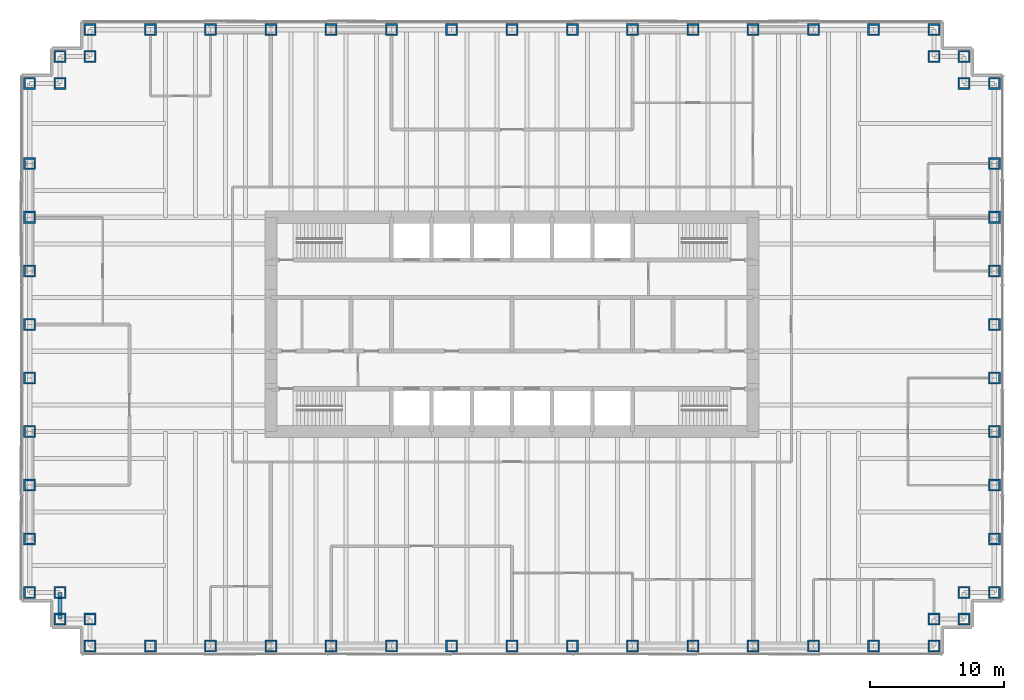
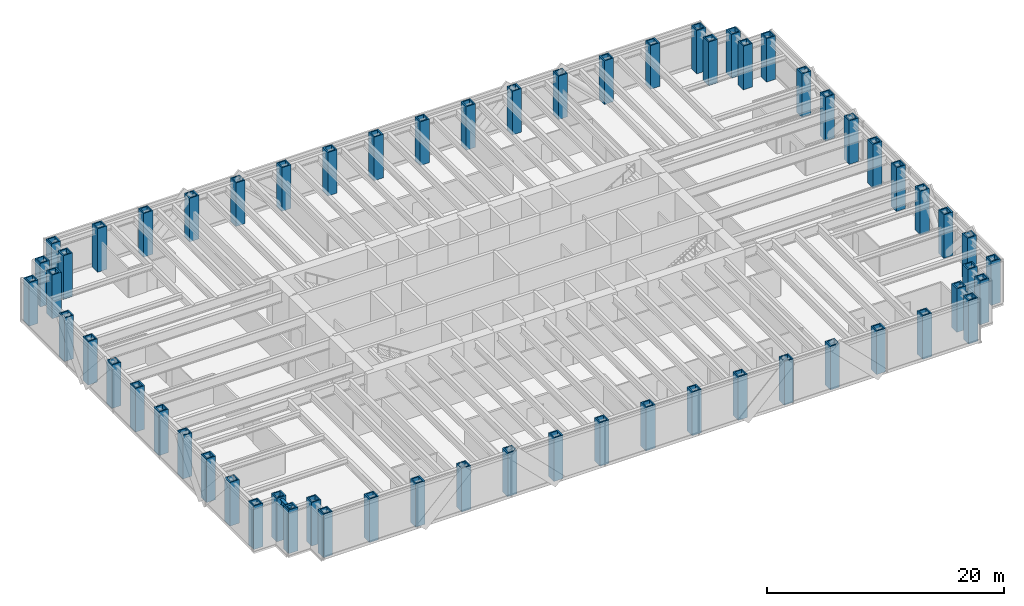
# One storey, part 1 of 13: 62 columns, 1 beam.
"""IFC4 building model written with IfcOpenShell, lengths in metres."""

from ifc_helpers import new_model, si_unit, direction, frame, origin, origin_2d, place, context, subcontext, project, spatial, hollow_rectangle, i_section, extrude, material, material_profile, profile_set, type_object, element, save


model = new_model("IFC4")

# Units and contexts
model_context = context("Model", 3, precision=1e-05, world=origin(), true_north=direction((0.0, 1.0)))
body_context = subcontext(model_context, "Body", "Model", "MODEL_VIEW")
ifc_project = project(units=[si_unit("LENGTHUNIT", "METRE"), si_unit("AREAUNIT", "SQUARE_METRE"), si_unit("VOLUMEUNIT", "CUBIC_METRE"), si_unit("PLANEANGLEUNIT", "RADIAN"), si_unit("MASSUNIT", "GRAM", prefix="KILO")], contexts=[model_context])

# Site, building, storey
site_placement = place(None, origin())
site = spatial("IfcSite", under=ifc_project, at=site_placement, CompositionType="ELEMENT")
building_placement = place(site_placement, origin())
building = spatial("IfcBuilding", under=site, at=building_placement, Name="Rheinbord Bourse Tower", CompositionType="ELEMENT")
storey_placement = place(building_placement, frame((0.0, 0.0, 72.5)))
storey = spatial("IfcBuildingStorey", under=building, at=storey_placement, Name="L15", CompositionType="ELEMENT", Elevation=72.5)

# Columns
ifc_material_1 = material(Name="Steel S460M", Category="steel")
ifc_material_profile_1 = material_profile(ifc_material_1, hollow_rectangle(XDim=0.89990234375, YDim=0.89990234375, WallThickness=0.1201171875, at=origin_2d()), Name="BOX 900x900x120")
ifc_profile_set_1 = profile_set([ifc_material_profile_1], Name="Steel S460M")
column_type = type_object("IfcColumnType", Name="TUBE COLUMN BOX 900x900x120", PredefinedType="COLUMN", material=ifc_profile_set_1)
for number, where, z_axis, x_axis, name in (
    (1, (4.5, 0.0, 0.0), (0.0, 0.0, 1.0), (0.0, 1.0, 0.0), "Column SW-E L15"),
    (2, (9.0, 0.0, 0.0), (0.0, 0.0, 1.0), (0.0, 1.0, 0.0), "Column S-9 L15"),
    (3, (13.5, 0.0, 0.0), (0.0, 0.0, 1.0), (0.0, 1.0, 0.0), "Column S-13.5 L15"),
    (4, (18.0, 0.0, 0.0), (0.0, 0.0, 1.0), (0.0, 1.0, 0.0), "Column S-18 L15"),
    (5, (22.5, 0.0, 0.0), (0.0, 0.0, 1.0), (0.0, 1.0, 0.0), "Column S-22.5 L15"),
    (6, (27.0, 0.0, 0.0), (0.0, 0.0, 1.0), (0.0, 1.0, 0.0), "Column S-27 L15"),
    (7, (31.5, 0.0, 0.0), (0.0, 0.0, 1.0), (0.0, 1.0, 0.0), "Column S-31.5 L15"),
    (8, (36.0, 0.0, 0.0), (0.0, 0.0, 1.0), (0.0, 1.0, 0.0), "Column S-36 L15"),
    (9, (40.5, 0.0, 0.0), (0.0, 0.0, 1.0), (0.0, 1.0, 0.0), "Column S-40.5 L15"),
    (10, (45.0, 0.0, 0.0), (0.0, 0.0, 1.0), (0.0, 1.0, 0.0), "Column S-45 L15"),
    (11, (49.5, 0.0, 0.0), (0.0, 0.0, 1.0), (0.0, 1.0, 0.0), "Column S-49.5 L15"),
    (12, (54.0, 0.0, 0.0), (0.0, 0.0, 1.0), (0.0, 1.0, 0.0), "Column S-54 L15"),
    (13, (58.5, 0.0, 0.0), (0.0, 0.0, 1.0), (0.0, 1.0, 0.0), "Column S-58.5 L15"),
    (14, (63.0, 0.0, 0.0), (0.0, 0.0, 1.0), (0.0, 1.0, 0.0), "Column S-63 L15"),
    (15, (67.5, 0.0, 0.0), (0.0, 0.0, 1.0), (0.0, 1.0, 0.0), "Column SE-E L15"),
    (16, (67.5, 2.0, 0.0), (0.0, 0.0, 1.0), (0.0, 1.0, 0.0), "Column SE-D L15"),
    (17, (69.75, 2.0, 0.0), (0.0, 0.0, 1.0), (1.0, 0.0, 0.0), "Column SE-C L15"),
    (18, (69.75, 4.0, 0.0), (0.0, 0.0, 1.0), (1.0, 0.0, 0.0), "Column SE-B L15"),
    (19, (72.0, 4.0, 0.0), (0.0, 0.0, 1.0), (1.0, 0.0, 0.0), "Column SE-A L15"),
    (20, (72.0, 8.0, 0.0), (0.0, 0.0, 1.0), (1.0, 0.0, 0.0), "Column E-8 L15"),
    (21, (72.0, 12.0, 0.0), (0.0, 0.0, 1.0), (1.0, 0.0, 0.0), "Column E-12 L15"),
    (22, (72.0, 16.0, 0.0), (0.0, 0.0, 1.0), (1.0, 0.0, 0.0), "Column E-16 L15"),
    (23, (72.0, 20.0, 0.0), (0.0, 0.0, 1.0), (1.0, 0.0, 0.0), "Column E-20 L15"),
    (24, (72.0, 24.0, 0.0), (0.0, 0.0, 1.0), (1.0, 0.0, 0.0), "Column E-24 L15"),
    (25, (72.0, 28.0, 0.0), (0.0, 0.0, 1.0), (1.0, 0.0, 0.0), "Column E-28 L15"),
    (26, (72.0, 32.0, 0.0), (0.0, 0.0, 1.0), (1.0, 0.0, 0.0), "Column E-32 L15"),
    (27, (72.0, 36.0, 0.0), (0.0, 0.0, 1.0), (1.0, 0.0, 0.0), "Column E-36 L15"),
    (28, (72.0, 42.0, 0.0), (0.0, 0.0, 1.0), (1.0, 0.0, 0.0), "Column NE-A L15"),
    (29, (69.75, 42.0, 0.0), (0.0, 0.0, 1.0), (1.0, 0.0, 0.0), "Column NE-B L15"),
    (30, (69.75, 44.0, 0.0), (0.0, 0.0, 1.0), (1.0, 0.0, 0.0), "Column NE-C L15"),
    (31, (67.5, 44.0, 0.0), (0.0, 0.0, 1.0), (0.0, 1.0, 0.0), "Column NE-D L15"),
    (32, (67.5, 46.0, 0.0), (0.0, 0.0, 1.0), (0.0, 1.0, 0.0), "Column NE-E L15"),
    (33, (63.0, 46.0, 0.0), (0.0, 0.0, 1.0), (0.0, 1.0, 0.0), "Column N-63 L15"),
    (34, (58.5, 46.0, 0.0), (0.0, 0.0, 1.0), (0.0, 1.0, 0.0), "Column N-58.5 L15"),
    (35, (54.0, 46.0, 0.0), (0.0, 0.0, 1.0), (0.0, 1.0, 0.0), "Column N-54 L15"),
    (36, (49.5, 46.0, 0.0), (0.0, 0.0, 1.0), (0.0, 1.0, 0.0), "Column N-49.5 L15"),
    (37, (45.0, 46.0, 0.0), (0.0, 0.0, 1.0), (0.0, 1.0, 0.0), "Column N-45 L15"),
    (38, (40.5, 46.0, 0.0), (0.0, 0.0, 1.0), (0.0, 1.0, 0.0), "Column N-40.5 L15"),
    (39, (36.0, 46.0, 0.0), (0.0, 0.0, 1.0), (0.0, 1.0, 0.0), "Column N-36 L15"),
    (40, (31.5, 46.0, 0.0), (0.0, 0.0, 1.0), (0.0, 1.0, 0.0), "Column N-31.5 L15"),
    (41, (27.0, 46.0, 0.0), (0.0, 0.0, 1.0), (0.0, 1.0, 0.0), "Column N-27 L15"),
    (42, (22.5, 46.0, 0.0), (0.0, 0.0, 1.0), (0.0, 1.0, 0.0), "Column N-22.5 L15"),
    (43, (18.0, 46.0, 0.0), (0.0, 0.0, 1.0), (0.0, 1.0, 0.0), "Column N-18 L15"),
    (44, (13.5, 46.0, 0.0), (0.0, 0.0, 1.0), (0.0, 1.0, 0.0), "Column N-13.5 L15"),
    (45, (9.0, 46.0, 0.0), (0.0, 0.0, 1.0), (0.0, 1.0, 0.0), "Column N-9 L15"),
    (46, (4.5, 46.0, 0.0), (0.0, 0.0, 1.0), (0.0, 1.0, 0.0), "Column NW-E L15"),
    (47, (4.5, 44.0, 0.0), (0.0, 0.0, 1.0), (0.0, 1.0, 0.0), "Column NW-D L15"),
    (48, (2.25, 44.0, 0.0), (0.0, 0.0, 1.0), (1.0, 0.0, 0.0), "Column NW-C L15"),
    (49, (2.25, 42.0, 0.0), (0.0, 0.0, 1.0), (1.0, 0.0, 0.0), "Column NW-B L15"),
    (50, (0.0, 42.0, 0.0), (0.0, 0.0, 1.0), (1.0, 0.0, 0.0), "Column NW-A L15"),
    (51, (0.0, 36.0, 0.0), (0.0, 0.0, 1.0), (1.0, 0.0, 0.0), "Column W-36 L15"),
    (52, (0.0, 32.0, 0.0), (0.0, 0.0, 1.0), (1.0, 0.0, 0.0), "Column W-32 L15"),
    (53, (0.0, 28.0, 0.0), (0.0, 0.0, 1.0), (1.0, 0.0, 0.0), "Column W-28 L15"),
    (54, (0.0, 24.0, 0.0), (0.0, 0.0, 1.0), (1.0, 0.0, 0.0), "Column W-24 L15"),
    (55, (0.0, 20.0, 0.0), (0.0, 0.0, 1.0), (1.0, 0.0, 0.0), "Column W-20 L15"),
    (56, (0.0, 16.0, 0.0), (0.0, 0.0, 1.0), (1.0, 0.0, 0.0), "Column W-16 L15"),
    (57, (0.0, 12.0, 0.0), (0.0, 0.0, 1.0), (1.0, 0.0, 0.0), "Column W-12 L15"),
    (58, (0.0, 8.0, 0.0), (0.0, 0.0, 1.0), (1.0, 0.0, 0.0), "Column W-8 L15"),
    (59, (0.0, 4.0, 0.0), (0.0, 0.0, 1.0), (1.0, 0.0, 0.0), "Column SW-A L15"),
    (60, (2.25, 4.0, 0.0), (0.0, 0.0, 1.0), (1.0, 0.0, 0.0), "Column SW-B L15"),
    (61, (2.25, 2.0, 0.0), (0.0, 0.0, 1.0), (1.0, 0.0, 0.0), "Column SW-C L15"),
    (62, (4.5, 2.0, 0.0), (0.0, 0.0, 1.0), (0.0, 1.0, 0.0), "Column SW-D L15"),
):
    element("IfcColumn", number, at=place(storey_placement, frame(where, z_axis=z_axis, x_axis=x_axis)), inside=storey, type_object=column_type, Name=name, PredefinedType="COLUMN", context=body_context, shape_type="SweptSolid", body=[
        extrude(hollow_rectangle(XDim=0.89990234375, YDim=0.89990234375, WallThickness=0.1201171875, at=origin_2d()), origin(), (0.0, 0.0, 1.0), 4.5),
    ])

# Beam
ifc_material_2 = material(Name="Steel S460", Category="steel")
ifc_material_profile_2 = material_profile(ifc_material_2, i_section(OverallWidth=0.304931640625, OverallDepth=0.6201171875, WebThickness=0.02099609375, FlangeThickness=0.0400390625, at=origin_2d()), Name="HEM 600")
ifc_profile_set_2 = profile_set([ifc_material_profile_2], Name="Steel S460")
beam_type = type_object("IfcBeamType", Name="SPANDREL HEM 600", PredefinedType="SPANDREL", material=ifc_profile_set_2)
beam_placement = place(storey_placement, frame((2.25, 4.0, 4.010009765625), z_axis=(0.0, -1.0, 0.0), x_axis=(1.0, 0.0, 0.0)))
element("IfcBeam", 63, at=beam_placement, inside=storey, type_object=beam_type, Name="Spandrel SW-B-SW-C under L16", PredefinedType="SPANDREL", context=body_context, shape_type="SweptSolid", body=[
    extrude(i_section(OverallWidth=0.304931640625, OverallDepth=0.6201171875, WebThickness=0.02099609375, FlangeThickness=0.0400390625, at=origin_2d()), origin(), (0.0, 0.0, 1.0), 2.0),
])

save(model, "model.ifc")
